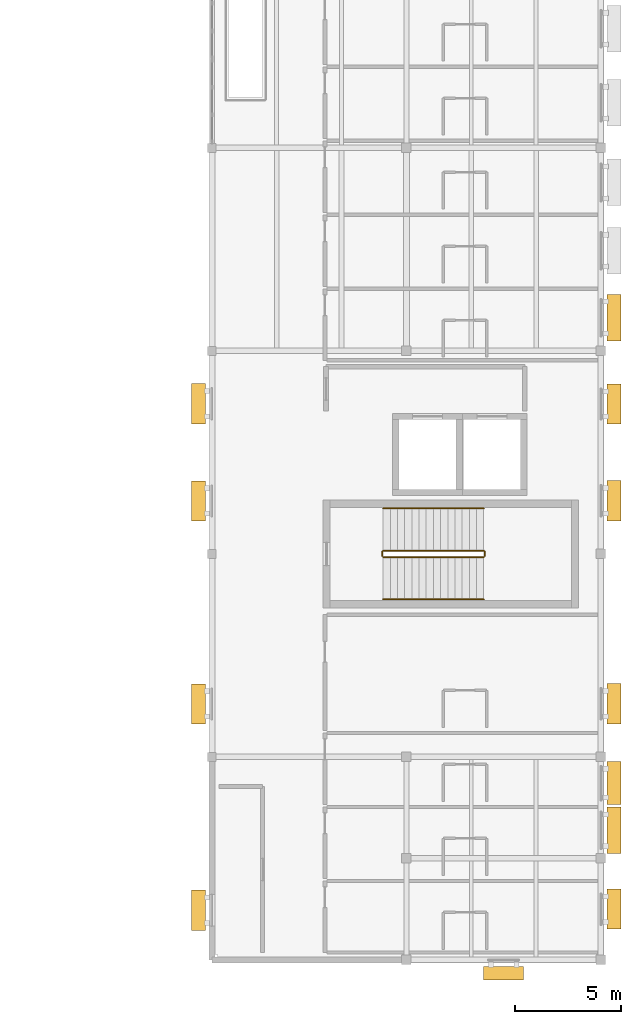
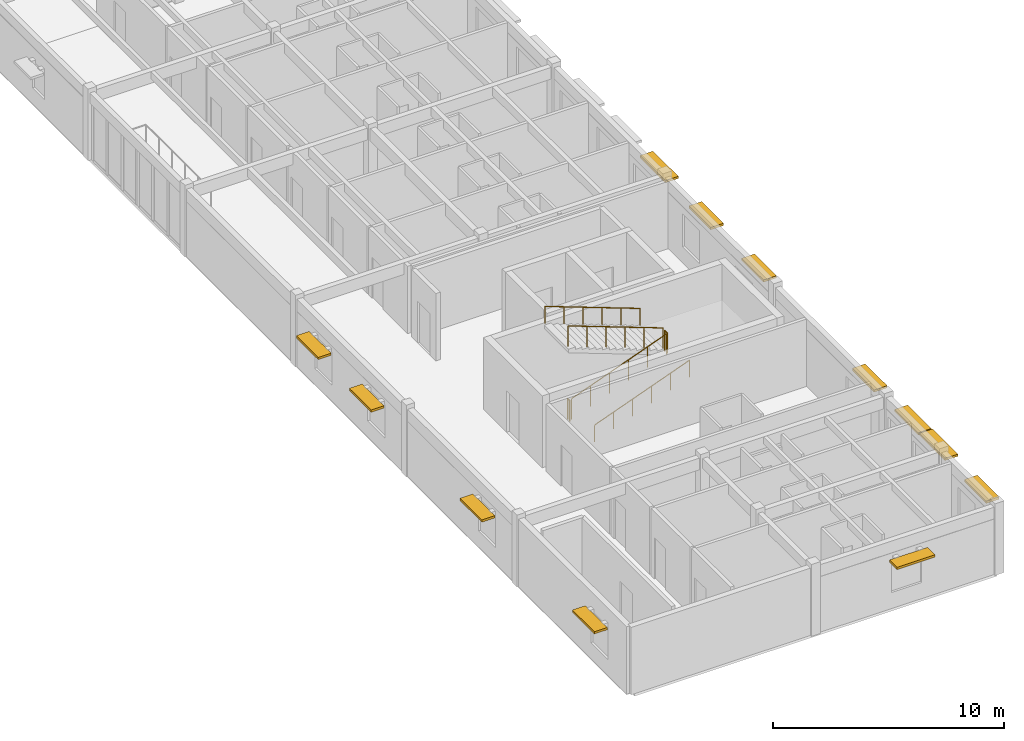
# One storey, part 15 of 17: 12 shading devices, 6 railings.
"""IFC4 building model written with IfcOpenShell, lengths in metres."""

from ifc_helpers import new_model, si_unit, direction, frame, origin, origin_2d, place, context, subcontext, project, spatial, rectangle, circle, extrude, material, type_object, element, save


model = new_model("IFC4")

# Units and contexts
model_context = context("Model", 3, precision=1e-05, world=origin(), true_north=direction((0.0, 1.0)))
body_context = subcontext(model_context, "Body", "Model", "MODEL_VIEW")
ifc_project = project(units=[si_unit("LENGTHUNIT", "METRE"), si_unit("AREAUNIT", "SQUARE_METRE"), si_unit("VOLUMEUNIT", "CUBIC_METRE"), si_unit("PLANEANGLEUNIT", "RADIAN"), si_unit("MASSUNIT", "GRAM", prefix="KILO")], contexts=[model_context])

# Site, building, storey
site_placement = place(None, origin())
site = spatial("IfcSite", under=ifc_project, at=site_placement, CompositionType="ELEMENT")
building_placement = place(site_placement, origin())
building = spatial("IfcBuilding", under=site, at=building_placement, Name="Veldera Park Congress Hotel", CompositionType="ELEMENT")
storey_placement = place(building_placement, frame((0.0, 0.0, 35.199951171875)))
storey = spatial("IfcBuildingStorey", under=building, at=storey_placement, Name="L08", CompositionType="ELEMENT", Elevation=35.199951171875)

# Railings
ifc_material_1 = material(Name="Steel ASTM A992 Gr.50", Category="steel")
railing_type_1 = type_object("IfcRailingType", Name="GRD-ST110", PredefinedType="GUARDRAIL", material=ifc_material_1)
railing_1_placement = place(storey_placement, frame((73.699951171875, -9.14990234375, 0.126708984375)))
element("IfcRailing", 1, at=railing_1_placement, inside=storey, type_object=railing_type_1, Name="L08 ST2 stair guard 1", PredefinedType="GUARDRAIL", context=body_context, shape_type="SweptSolid", body=[
    extrude(circle(Radius=0.02392578125, at=origin_2d()), frame((0.0, 0.0, 1.076171875), z_axis=(0.937075640343, 0.0, 0.349126401572), x_axis=(0.0, 1.0, 0.0)), (0.0, 0.0, 1.0), 5.07958984375),
    extrude(circle(Radius=0.02099609375, at=origin_2d()), origin(), (0.0, 0.0, 1.0), 1.052001953125),
    extrude(circle(Radius=0.02099609375, at=origin_2d()), frame((0.951904296875, 0.0, 0.354736328125)), (0.0, 0.0, 1.0), 1.052001953125),
    extrude(circle(Radius=0.02099609375, at=origin_2d()), frame((1.904052734375, 0.0, 0.70947265625)), (0.0, 0.0, 1.0), 1.052001953125),
    extrude(circle(Radius=0.02099609375, at=origin_2d()), frame((2.85595703125, 0.0, 1.06396484375)), (0.0, 0.0, 1.0), 1.052001953125),
    extrude(circle(Radius=0.02099609375, at=origin_2d()), frame((3.80810546875, 0.0, 1.418701171875)), (0.0, 0.0, 1.0), 1.052001953125),
    extrude(circle(Radius=0.02099609375, at=origin_2d()), frame((4.760009765625, 0.0, 1.7734375)), (0.0, 0.0, 1.0), 1.052001953125),
])
railing_2_placement = place(storey_placement, frame((78.510009765625, -9.10009765625, 1.900146484375)))
element("IfcRailing", 2, at=railing_2_placement, inside=storey, type_object=railing_type_1, Name="L08 ST2 stair guard 2", PredefinedType="GUARDRAIL", context=body_context, shape_type="SweptSolid", body=[
    extrude(circle(Radius=0.02392578125, at=origin_2d()), frame((0.0, 0.0, 1.076171875), z_axis=(0.0, 1.0, 0.0), x_axis=(-1.0, 0.0, 0.0)), (0.0, 0.0, 1.0), 0.2001953125),
    extrude(circle(Radius=0.02099609375, at=origin_2d()), origin(), (0.0, 0.0, 1.0), 1.052001953125),
    extrude(circle(Radius=0.02099609375, at=origin_2d()), frame((0.0, 0.2001953125, 0.0)), (0.0, 0.0, 1.0), 1.052001953125),
])
railing_3_placement = place(storey_placement, frame((78.4599609375, -8.85009765625, 2.026611328125)))
element("IfcRailing", 3, at=railing_3_placement, inside=storey, type_object=railing_type_1, Name="L08 ST2 stair guard 3", PredefinedType="GUARDRAIL", context=body_context, shape_type="SweptSolid", body=[
    extrude(circle(Radius=0.02392578125, at=origin_2d()), frame((0.0, 0.0, 1.076171875), z_axis=(-0.937075640343, 0.0, 0.349126401572), x_axis=(0.0, -1.0, 0.0)), (0.0, 0.0, 1.0), 5.07958984375),
    extrude(circle(Radius=0.02099609375, at=origin_2d()), origin(), (0.0, 0.0, 1.0), 1.052001953125),
    extrude(circle(Radius=0.02099609375, at=origin_2d()), frame((-0.951904296875, 0.0, 0.354736328125)), (0.0, 0.0, 1.0), 1.052001953125),
    extrude(circle(Radius=0.02099609375, at=origin_2d()), frame((-1.904052734375, 0.0, 0.70947265625)), (0.0, 0.0, 1.0), 1.052001953125),
    extrude(circle(Radius=0.02099609375, at=origin_2d()), frame((-2.85595703125, 0.0, 1.06396484375)), (0.0, 0.0, 1.0), 1.052001953125),
    extrude(circle(Radius=0.02099609375, at=origin_2d()), frame((-3.80810546875, 0.0, 1.418701171875)), (0.0, 0.0, 1.0), 1.052001953125),
    extrude(circle(Radius=0.02099609375, at=origin_2d()), frame((-4.760009765625, 0.0, 1.7734375)), (0.0, 0.0, 1.0), 1.052001953125),
])
railing_4_placement = place(storey_placement, frame((73.64990234375, -9.10009765625, 0.0)))
element("IfcRailing", 4, at=railing_4_placement, inside=storey, type_object=railing_type_1, Name="L08 ST2 stair guard 4", PredefinedType="GUARDRAIL", context=body_context, shape_type="SweptSolid", body=[
    extrude(circle(Radius=0.02392578125, at=origin_2d()), frame((0.0, 0.0, 1.076171875), z_axis=(0.0, 1.0, 0.0), x_axis=(-1.0, 0.0, 0.0)), (0.0, 0.0, 1.0), 0.2001953125),
    extrude(circle(Radius=0.02099609375, at=origin_2d()), origin(), (0.0, 0.0, 1.0), 1.052001953125),
    extrude(circle(Radius=0.02099609375, at=origin_2d()), frame((0.0, 0.2001953125, 0.0)), (0.0, 0.0, 1.0), 1.052001953125),
])
railing_type_2 = type_object("IfcRailingType", Name="HRL-920", PredefinedType="HANDRAIL", material=ifc_material_1)
railing_5_placement = place(storey_placement, frame((73.699951171875, -11.14990234375, 0.126708984375)))
element("IfcRailing", 5, at=railing_5_placement, inside=storey, type_object=railing_type_2, Name="L08 ST2 stair handrail 1", PredefinedType="HANDRAIL", context=body_context, shape_type="SweptSolid", body=[
    extrude(circle(Radius=0.02392578125, at=origin_2d()), frame((0.0, 0.0, 0.89599609375), z_axis=(0.937075640343, 0.0, 0.349126401572), x_axis=(0.0, 1.0, 0.0)), (0.0, 0.0, 1.0), 5.07958984375),
    extrude(circle(Radius=0.02099609375, at=origin_2d()), origin(), (0.0, 0.0, 1.0), 0.871826171875),
    extrude(circle(Radius=0.02099609375, at=origin_2d()), frame((0.951904296875, 0.0, 0.354736328125)), (0.0, 0.0, 1.0), 0.871826171875),
    extrude(circle(Radius=0.02099609375, at=origin_2d()), frame((1.904052734375, 0.0, 0.70947265625)), (0.0, 0.0, 1.0), 0.871826171875),
    extrude(circle(Radius=0.02099609375, at=origin_2d()), frame((2.85595703125, 0.0, 1.06396484375)), (0.0, 0.0, 1.0), 0.871826171875),
    extrude(circle(Radius=0.02099609375, at=origin_2d()), frame((3.80810546875, 0.0, 1.418701171875)), (0.0, 0.0, 1.0), 0.871826171875),
    extrude(circle(Radius=0.02099609375, at=origin_2d()), frame((4.760009765625, 0.0, 1.7734375)), (0.0, 0.0, 1.0), 0.871826171875),
])
railing_6_placement = place(storey_placement, frame((78.4599609375, -6.85009765625, 2.026611328125)))
element("IfcRailing", 6, at=railing_6_placement, inside=storey, type_object=railing_type_2, Name="L08 ST2 stair handrail 2", PredefinedType="HANDRAIL", context=body_context, shape_type="SweptSolid", body=[
    extrude(circle(Radius=0.02392578125, at=origin_2d()), frame((0.0, 0.0, 0.89599609375), z_axis=(-0.937075640343, 0.0, 0.349126401572), x_axis=(0.0, -1.0, 0.0)), (0.0, 0.0, 1.0), 5.07958984375),
    extrude(circle(Radius=0.02099609375, at=origin_2d()), origin(), (0.0, 0.0, 1.0), 0.871826171875),
    extrude(circle(Radius=0.02099609375, at=origin_2d()), frame((-0.951904296875, 0.0, 0.354736328125)), (0.0, 0.0, 1.0), 0.871826171875),
    extrude(circle(Radius=0.02099609375, at=origin_2d()), frame((-1.904052734375, 0.0, 0.70947265625)), (0.0, 0.0, 1.0), 0.871826171875),
    extrude(circle(Radius=0.02099609375, at=origin_2d()), frame((-2.85595703125, 0.0, 1.06396484375)), (0.0, 0.0, 1.0), 0.871826171875),
    extrude(circle(Radius=0.02099609375, at=origin_2d()), frame((-3.80810546875, 0.0, 1.418701171875)), (0.0, 0.0, 1.0), 0.871826171875),
    extrude(circle(Radius=0.02099609375, at=origin_2d()), frame((-4.760009765625, 0.0, 1.7734375)), (0.0, 0.0, 1.0), 0.871826171875),
])

# Shading devices
ifc_material_2 = material(Name="Glulam GL28h (NDS 24F-V4)", Category="wood")
shading_device_type = type_object("IfcShadingDeviceType", Name="SHD-LVR300", PredefinedType="JALOUSIE", material=ifc_material_2)
for number, where, z_axis, x_axis, name in (
    (7, (79.39990234375, -28.824951171875, 2.619873046875), (0.0, 0.0, 1.0), (1.0, 0.0, 0.0), "Glulam Solar Shade 209"),
    (8, (84.625, -25.800048828125, 2.619873046875), (0.0, 0.0, 1.0), (0.0, 1.0, 0.0), "Glulam Solar Shade 210"),
    (9, (84.625, -16.08837890625, 2.619873046875), (0.0, 0.0, 1.0), (0.0, 1.0, 0.0), "Glulam Solar Shade 211"),
    (10, (84.625, -6.488525390625, 2.619873046875), (0.0, 0.0, 1.0), (0.0, 1.0, 0.0), "Glulam Solar Shade 212"),
    (11, (84.625, -1.91162109375, 2.619873046875), (0.0, 0.0, 1.0), (0.0, 1.0, 0.0), "Glulam Solar Shade 213"),
    (12, (64.97509765625, -1.904052734375, 2.619873046875), (0.0, 0.0, 1.0), (0.0, -1.0, 0.0), "Glulam Solar Shade 227"),
    (13, (64.97509765625, -6.49609375, 2.619873046875), (0.0, 0.0, 1.0), (0.0, -1.0, 0.0), "Glulam Solar Shade 228"),
    (14, (64.97509765625, -16.095947265625, 2.619873046875), (0.0, 0.0, 1.0), (0.0, -1.0, 0.0), "Glulam Solar Shade 229"),
    (15, (64.97509765625, -25.85205078125, 2.619873046875), (0.0, 0.0, 1.0), (0.0, -1.0, 0.0), "Glulam Solar Shade 230"),
):
    element("IfcShadingDevice", number, at=place(storey_placement, frame(where, z_axis=z_axis, x_axis=x_axis)), inside=storey, type_object=shading_device_type, Name=name, PredefinedType="JALOUSIE", context=body_context, shape_type="SweptSolid", body=[
        extrude(rectangle(XDim=1.89990234375, YDim=0.64990234375, at=origin_2d()), origin(), (0.0, 0.0, 1.0), 0.1201171875),
    ])
shading_device_1_placement = place(storey_placement, frame((84.625, -22.073486328125, 2.719970703125), z_axis=(0.0, 0.0, 1.0), x_axis=(0.0, 1.0, 0.0)))
element("IfcShadingDevice", 16, at=shading_device_1_placement, inside=storey, type_object=shading_device_type, Name="Glulam Solar Shade 466", PredefinedType="JALOUSIE", context=body_context, shape_type="SweptSolid", body=[
    extrude(rectangle(XDim=2.199951171875, YDim=0.64990234375, at=origin_2d()), origin(), (0.0, 0.0, 1.0), 0.1201171875),
])
shading_device_2_placement = place(storey_placement, frame((84.625, -19.83642578125, 2.669921875), z_axis=(0.0, 0.0, 1.0), x_axis=(0.0, 1.0, 0.0)))
element("IfcShadingDevice", 17, at=shading_device_2_placement, inside=storey, type_object=shading_device_type, Name="Glulam Solar Shade 467", PredefinedType="JALOUSIE", context=body_context, shape_type="SweptSolid", body=[
    extrude(rectangle(XDim=2.050048828125, YDim=0.64990234375, at=origin_2d()), origin(), (0.0, 0.0, 1.0), 0.1201171875),
])
shading_device_3_placement = place(storey_placement, frame((84.625, 2.176513671875, 2.719970703125), z_axis=(0.0, 0.0, 1.0), x_axis=(0.0, 1.0, 0.0)))
element("IfcShadingDevice", 18, at=shading_device_3_placement, inside=storey, type_object=shading_device_type, Name="Glulam Solar Shade 468", PredefinedType="JALOUSIE", context=body_context, shape_type="SweptSolid", body=[
    extrude(rectangle(XDim=2.199951171875, YDim=0.64990234375, at=origin_2d()), origin(), (0.0, 0.0, 1.0), 0.1201171875),
])

save(model, "model.ifc")
